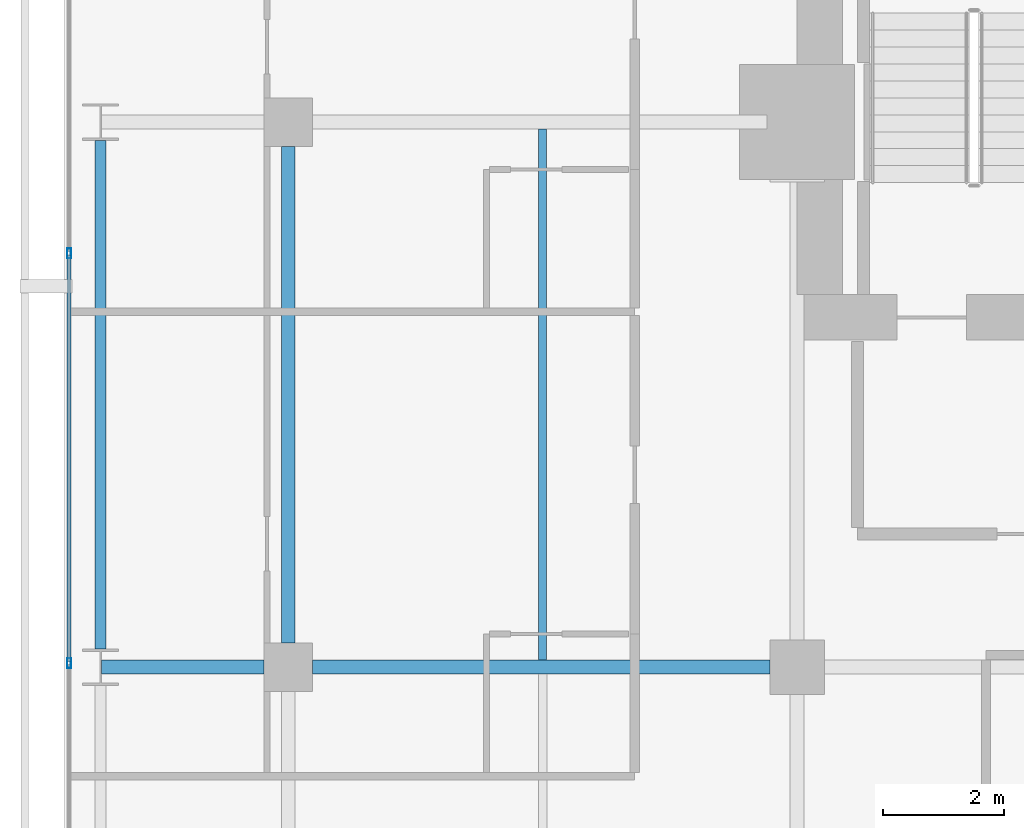
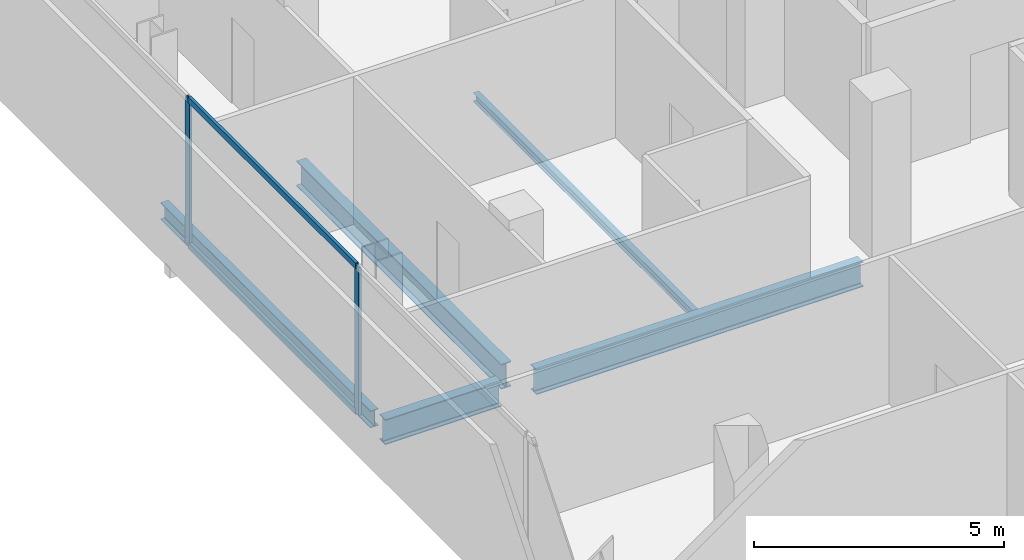
# One storey, part 18 of 33: 5 beams, 4 members, 1 element without a shape of its own.
"""IFC4 building model written with IfcOpenShell, lengths in metres."""

from ifc_helpers import new_model, si_unit, direction, frame, origin, origin_2d, place, context, subcontext, project, spatial, hollow_rectangle, i_section, extrude, material, layer, layer_set, material_profile, profile_set, type_object, element, aggregate, save


model = new_model("IFC4")

# Units and contexts
model_context = context("Model", 3, precision=1e-05, world=origin(), true_north=direction((0.0, 1.0)))
body_context = subcontext(model_context, "Body", "Model", "MODEL_VIEW")
ifc_project = project(units=[si_unit("LENGTHUNIT", "METRE"), si_unit("AREAUNIT", "SQUARE_METRE"), si_unit("VOLUMEUNIT", "CUBIC_METRE"), si_unit("PLANEANGLEUNIT", "RADIAN"), si_unit("MASSUNIT", "GRAM", prefix="KILO")], contexts=[model_context])

# Site, building, storey
site_placement = place(None, origin())
site = spatial("IfcSite", under=ifc_project, at=site_placement, CompositionType="ELEMENT")
building_placement = place(site_placement, origin())
building = spatial("IfcBuilding", under=site, at=building_placement, Name="Maruvema Waterfront Hotel and Observation Tower", CompositionType="ELEMENT")
storey_placement = place(building_placement, frame((0.0, 0.0, 142.800048828125)))
storey = spatial("IfcBuildingStorey", under=building, at=storey_placement, Name="L34", CompositionType="ELEMENT", Elevation=142.800048828125)

# Curtain wall, members
ifc_material_1 = material(Name="Anodised bronze aluminium and solar-control low-E IGU", Category="aluminium")
ifc_layer = layer(ifc_material_1, 0.159912109375, Name="Zone 2 Amber Inner Thermal Curtain Wall System CW-03")
ifc_layer_set = layer_set([ifc_layer], Name="Anodised bronze aluminium and solar-control low-E IGU")
curtain_wall_type = type_object("IfcCurtainWallType", Name="Zone 2 Amber Inner Thermal Curtain Wall System CW-03", PredefinedType="USERDEFINED", material=ifc_layer_set)
curtain_wall_placement = place(storey_placement, origin())
curtain_wall = element("IfcCurtainWall", 1, at=curtain_wall_placement, inside=storey, type_object=curtain_wall_type, Name="L34 Curtain Wall CW-L34-W", ObjectType="UNITISED CURTAIN WALL", PredefinedType="USERDEFINED")
ifc_material_2 = material(Name="Anodised architectural bronze aluminium", Category="aluminium")
ifc_material_profile_1 = material_profile(ifc_material_2, hollow_rectangle(XDim=0.070068359375, YDim=0.14990234375, WallThickness=0.00390625, at=origin_2d()), Name="ALU-T70x150")
ifc_profile_set_1 = profile_set([ifc_material_profile_1], Name="Anodised architectural bronze aluminium")
member_type_1 = type_object("IfcMemberType", Name="Curtain Wall Horizontal Transom ALU-T70x150", PredefinedType="USERDEFINED", material=ifc_profile_set_1)
member_1_placement = place(storey_placement, frame((13.179931640625, 42.80322265625, 0.030029296875), z_axis=(0.0, -1.0, 0.0), x_axis=(1.0, 0.0, 0.0)))
member_1 = element("IfcMember", 2, at=member_1_placement, type_object=member_type_1, Name="CW-03 transom 2.1", ObjectType="TRANSOM", PredefinedType="USERDEFINED", context=body_context, shape_type="SweptSolid", body=[
    extrude(hollow_rectangle(XDim=0.070068359375, YDim=0.14990234375, WallThickness=0.00390625, at=origin_2d()), origin(), (0.0, 0.0, 1.0), 6.70654296875),
])
member_2_placement = place(storey_placement, frame((13.179931640625, 42.80322265625, 3.579833984375), z_axis=(0.0, -1.0, 0.0), x_axis=(1.0, 0.0, 0.0)))
member_2 = element("IfcMember", 3, at=member_2_placement, type_object=member_type_1, Name="CW-03 transom 2.2", ObjectType="TRANSOM", PredefinedType="USERDEFINED", context=body_context, shape_type="SweptSolid", body=[
    extrude(hollow_rectangle(XDim=0.070068359375, YDim=0.14990234375, WallThickness=0.00390625, at=origin_2d()), origin(), (0.0, 0.0, 1.0), 6.70654296875),
])
ifc_material_3 = material(Name="Anodised architectural bronze aluminium", Category="aluminium")
ifc_material_profile_2 = material_profile(ifc_material_3, hollow_rectangle(XDim=0.06494140625, YDim=0.1650390625, WallThickness=0.00390625, at=origin_2d()), Name="ALU-M65x165")
ifc_profile_set_2 = profile_set([ifc_material_profile_2], Name="Anodised architectural bronze aluminium")
member_type_2 = type_object("IfcMemberType", Name="Curtain Wall Primary Mullion ALU-M65x165", PredefinedType="MULLION", material=ifc_profile_set_2)
member_3_placement = place(storey_placement, frame((13.179931640625, 42.833251953125, 0.0), z_axis=(0.0, 0.0, 1.0), x_axis=(1.0, 0.0, 0.0)))
member_3 = element("IfcMember", 4, at=member_3_placement, type_object=member_type_2, Name="CW-03 mullion 2", PredefinedType="MULLION", context=body_context, shape_type="SweptSolid", body=[
    extrude(hollow_rectangle(XDim=0.06494140625, YDim=0.1650390625, WallThickness=0.00390625, at=origin_2d()), origin(), (0.0, 0.0, 1.0), 3.60986328125),
])
member_4_placement = place(storey_placement, frame((13.179931640625, 36.066650390625, 0.0), z_axis=(0.0, 0.0, 1.0), x_axis=(1.0, 0.0, 0.0)))
member_4 = element("IfcMember", 5, at=member_4_placement, type_object=member_type_2, Name="CW-03 mullion 3", PredefinedType="MULLION", context=body_context, shape_type="SweptSolid", body=[
    extrude(hollow_rectangle(XDim=0.06494140625, YDim=0.1650390625, WallThickness=0.00390625, at=origin_2d()), origin(), (0.0, 0.0, 1.0), 3.60986328125),
])
aggregate(curtain_wall, [member_3, member_4, member_1, member_2])

# Beams
ifc_material_4 = material(Name="Steel ASTM A572 Grade 50", Category="steel")
ifc_material_profile_3 = material_profile(ifc_material_4, i_section(OverallWidth=0.180908203125, OverallDepth=0.4169921875, WebThickness=0.010986328125, FlangeThickness=0.018310546875, FilletRadius=0.014892578125, at=origin_2d()), Name="W410x85.0")
ifc_profile_set_3 = profile_set([ifc_material_profile_3], Name="Steel ASTM A572 Grade 50")
beam_type_1 = type_object("IfcBeamType", Name="Perimeter Spandrel Beam W410x85.0", PredefinedType="SPANDREL", material=ifc_profile_set_3)
beam_1_placement = place(storey_placement, frame((13.699951171875, 36.300048828125, -0.448486328125), z_axis=(0.0, 1.0, 0.0), x_axis=(-1.0, 0.0, 0.0)))
element("IfcBeam", 6, at=beam_1_placement, inside=storey, type_object=beam_type_1, Name="L34 Floor Girder NS-04", PredefinedType="SPANDREL", context=body_context, shape_type="SweptSolid", body=[
    extrude(i_section(OverallWidth=0.180908203125, OverallDepth=0.4169921875, WebThickness=0.010986328125, FlangeThickness=0.018310546875, FilletRadius=0.014892578125, at=origin_2d()), origin(), (0.0, 0.0, 1.0), 8.39990234375),
])
ifc_material_5 = material(Name="Steel ASTM A572 Grade 50", Category="steel")
ifc_material_profile_4 = material_profile(ifc_material_5, i_section(OverallWidth=0.22900390625, OverallDepth=0.612060546875, WebThickness=0.011962890625, FlangeThickness=0.01953125, FilletRadius=0.01806640625, at=origin_2d()), Name="W610x125.0")
ifc_profile_set_4 = profile_set([ifc_material_profile_4], Name="Steel ASTM A572 Grade 50")
beam_type_2 = type_object("IfcBeamType", Name="Primary Floor Girder W610x125.0", PredefinedType="BEAM", material=ifc_profile_set_4)
beam_2_placement = place(storey_placement, frame((13.71240234375, 36.0, -0.546142578125), z_axis=(1.0, 0.0, 0.0), x_axis=(0.0, 1.0, 0.0)))
element("IfcBeam", 7, at=beam_2_placement, inside=storey, type_object=beam_type_2, Name="L34 Floor Girder EW-23", PredefinedType="BEAM", context=body_context, shape_type="SweptSolid", body=[
    extrude(i_section(OverallWidth=0.22900390625, OverallDepth=0.612060546875, WebThickness=0.011962890625, FlangeThickness=0.01953125, FilletRadius=0.01806640625, at=origin_2d()), origin(), (0.0, 0.0, 1.0), 2.6875),
])
beam_3_placement = place(storey_placement, frame((17.199951171875, 36.0, -0.546142578125), z_axis=(1.0, 0.0, 0.0), x_axis=(0.0, 1.0, 0.0)))
element("IfcBeam", 8, at=beam_3_placement, inside=storey, type_object=beam_type_2, Name="L34 Floor Girder EW-24", PredefinedType="BEAM", context=body_context, shape_type="SweptSolid", body=[
    extrude(i_section(OverallWidth=0.22900390625, OverallDepth=0.612060546875, WebThickness=0.011962890625, FlangeThickness=0.01953125, FilletRadius=0.01806640625, at=origin_2d()), origin(), (0.0, 0.0, 1.0), 7.550048828125),
])
beam_4_placement = place(storey_placement, frame((16.800048828125, 36.39990234375, -0.546142578125), z_axis=(0.0, 1.0, 0.0), x_axis=(-1.0, 0.0, 0.0)))
element("IfcBeam", 9, at=beam_4_placement, inside=storey, type_object=beam_type_2, Name="L34 Floor Girder NS-08", PredefinedType="BEAM", context=body_context, shape_type="SweptSolid", body=[
    extrude(i_section(OverallWidth=0.22900390625, OverallDepth=0.612060546875, WebThickness=0.011962890625, FlangeThickness=0.01953125, FilletRadius=0.01806640625, at=origin_2d()), origin(), (0.0, 0.0, 1.0), 8.2001953125),
])
ifc_material_6 = material(Name="Steel ASTM A572 Grade 50", Category="steel")
ifc_material_profile_5 = material_profile(ifc_material_6, i_section(OverallWidth=0.133056640625, OverallDepth=0.20703125, WebThickness=0.005859375, FlangeThickness=0.00830078125, FilletRadius=0.010009765625, at=origin_2d()), Name="W200x26.6")
ifc_profile_set_5 = profile_set([ifc_material_profile_5], Name="Steel ASTM A572 Grade 50")
beam_type_3 = type_object("IfcBeamType", Name="Secondary Floor Joist W200x26.6", PredefinedType="JOIST", material=ifc_profile_set_5)
beam_5_placement = place(storey_placement, frame((21.0, 36.114501953125, -0.343505859375), z_axis=(0.0, 1.0, 0.0), x_axis=(-1.0, 0.0, 0.0)))
element("IfcBeam", 10, at=beam_5_placement, inside=storey, type_object=beam_type_3, Name="L34 Secondary Floor Joist JS-04", PredefinedType="JOIST", context=body_context, shape_type="SweptSolid", body=[
    extrude(i_section(OverallWidth=0.133056640625, OverallDepth=0.20703125, WebThickness=0.005859375, FlangeThickness=0.00830078125, FilletRadius=0.010009765625, at=origin_2d()), origin(), (0.0, 0.0, 1.0), 8.77099609375),
])

save(model, "model.ifc")
